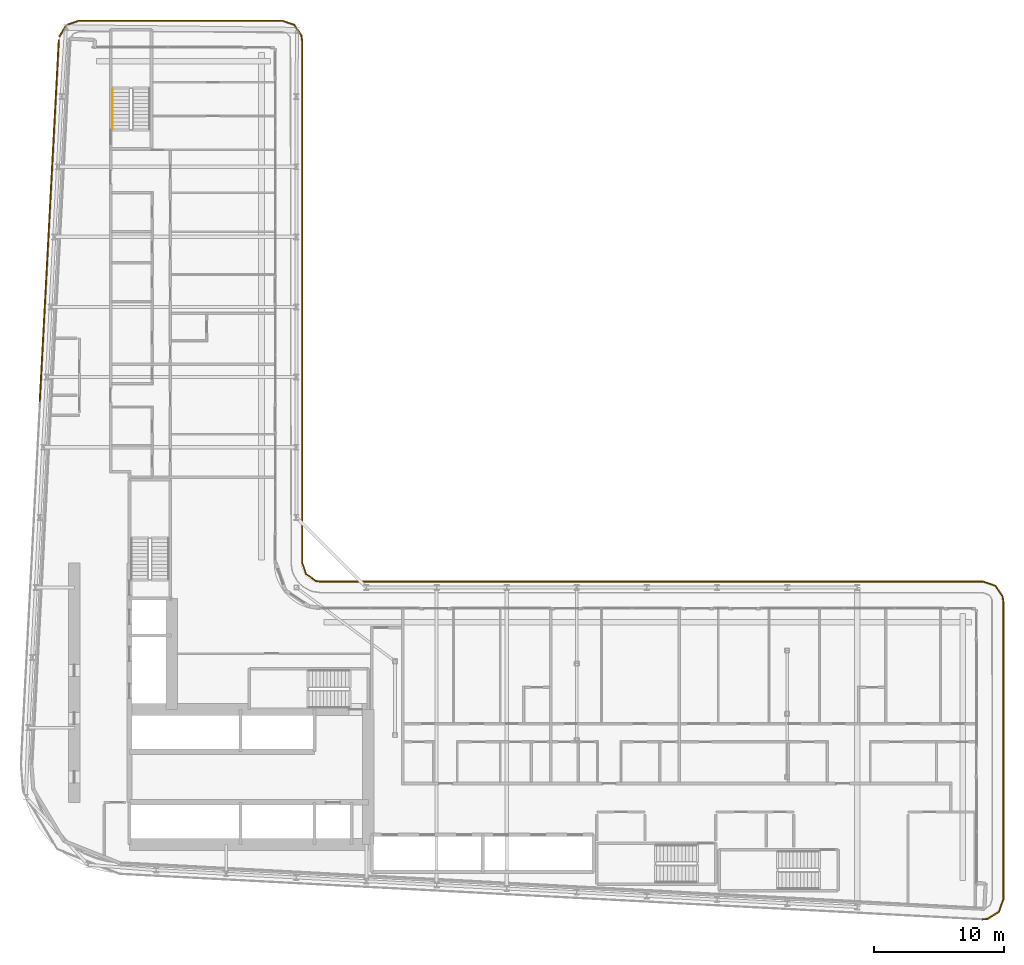
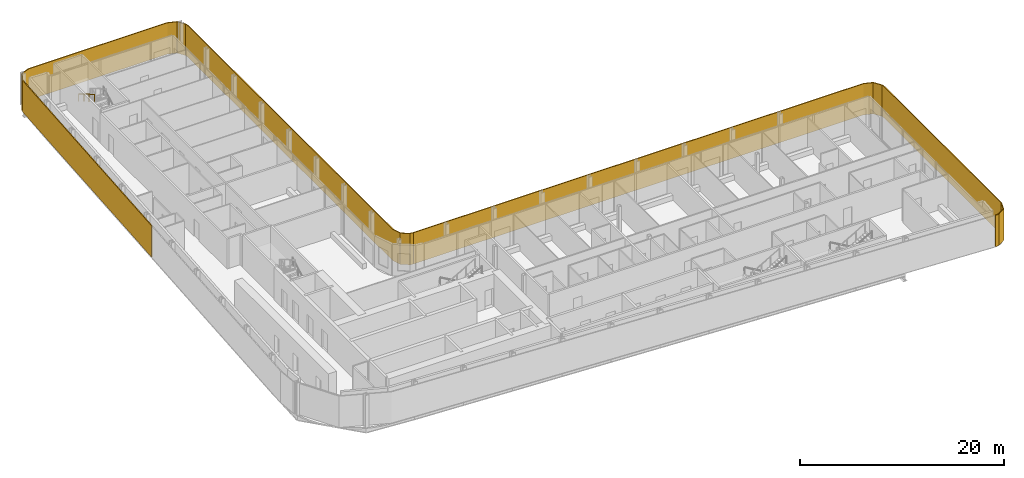
# One storey, part 25 of 27: 3 shading devices, 1 railing.
"""IFC4 building model written with IfcOpenShell, lengths in metres."""

from ifc_helpers import new_model, si_unit, direction, frame, origin, origin_2d, place, context, subcontext, project, spatial, polyline, rectangle, circle, outline, extrude, material, layer, layer_set, type_object, element, save


model = new_model("IFC4")

# Units and contexts
model_context = context("Model", 3, precision=1e-05, world=origin(), true_north=direction((0.0, 1.0)))
body_context = subcontext(model_context, "Body", "Model", "MODEL_VIEW")
ifc_project = project(units=[si_unit("LENGTHUNIT", "METRE"), si_unit("AREAUNIT", "SQUARE_METRE"), si_unit("VOLUMEUNIT", "CUBIC_METRE"), si_unit("PLANEANGLEUNIT", "RADIAN"), si_unit("MASSUNIT", "GRAM", prefix="KILO")], contexts=[model_context])

# Site, building, storey
site_placement = place(None, origin())
site = spatial("IfcSite", under=ifc_project, at=site_placement, CompositionType="ELEMENT")
building_placement = place(site_placement, origin())
building = spatial("IfcBuilding", under=site, at=building_placement, Name="Kheshtan School and Residences Tower", CompositionType="ELEMENT")
storey_placement = place(building_placement, frame((0.0, 0.0, 98.0)))
storey = spatial("IfcBuildingStorey", under=building, at=storey_placement, Name="L22", CompositionType="ELEMENT", Elevation=98.0)

# Shading devices
ifc_material_1 = material(Name="Terracotta baguette, extruded ceramic", Category="masonry")
ifc_layer_1 = layer(ifc_material_1, 0.10009765625)
ifc_layer_set_1 = layer_set([ifc_layer_1], Name="Ledge screen, terracotta baguettes")
shading_device_type_1 = type_object("IfcShadingDeviceType", Name="Ledge screen, terracotta baguettes", PredefinedType="USERDEFINED", material=ifc_layer_set_1)
shading_device_1_placement = place(storey_placement, frame((28.572998046875, 73.833984375, 0.0), z_axis=(0.0, 0.0, 1.0), x_axis=(0.052562536748, 0.998617634398, 0.0)))
element("IfcShadingDevice", 1, at=shading_device_1_placement, inside=storey, type_object=shading_device_type_1, Name="Screen L22 5", ObjectType="BAGUETTE", PredefinedType="USERDEFINED", context=body_context, shape_type="SweptSolid", body=[
    extrude(rectangle(XDim=27.93408203125, YDim=0.10009765625, at=origin_2d()), origin(), (0.0, 0.0, 1.0), 3.75),
])
ifc_material_2 = material(Name="Terracotta lattice, extruded ceramic", Category="masonry")
ifc_layer_2 = layer(ifc_material_2, 0.10009765625)
ifc_layer_set_2 = layer_set([ifc_layer_2], Name="Loggia screen, terracotta lattice")
shading_device_type_2 = type_object("IfcShadingDeviceType", Name="Loggia screen, terracotta lattice", PredefinedType="USERDEFINED", material=ifc_layer_set_2)
shading_device_2_placement = place(storey_placement, origin())
element("IfcShadingDevice", 2, at=shading_device_2_placement, inside=storey, type_object=shading_device_type_2, Name="Screen L22 1", ObjectType="SCREEN", PredefinedType="USERDEFINED", context=body_context, shape_type="SweptSolid", body=[
    extrude(outline(polyline([(29.382080078125, 87.98388671875), (29.89990234375, 88.85693359375), (30.85498046875, 89.199951171875), (46.5, 89.199951171875), (47.4130859375, 88.889892578125), (47.948974609375, 88.087890625), (48.0, 87.699951171875), (48.0, 47.5), (48.31005859375, 46.5869140625), (49.112060546875, 46.051025390625), (49.5, 46.0), (49.512939453125, 46.09912109375), (49.14794921875, 46.14697265625), (48.39404296875, 46.65087890625), (48.10009765625, 47.51708984375), (48.10009765625, 87.70703125), (48.044921875, 88.1240234375), (47.47705078125, 88.97412109375), (46.51708984375, 89.300048828125), (30.837890625, 89.300048828125), (29.83203125, 88.93896484375), (29.2958984375, 88.034912109375), (29.382080078125, 87.98388671875)])), origin(), (0.0, 0.0, 1.0), 3.75),
])
shading_device_3_placement = place(storey_placement, origin())
element("IfcShadingDevice", 3, at=shading_device_3_placement, inside=storey, type_object=shading_device_type_2, Name="Screen L22 2", ObjectType="SCREEN", PredefinedType="USERDEFINED", context=body_context, shape_type="SweptSolid", body=[
    extrude(outline(polyline([(49.5, 46.0), (100.5, 46.0), (101.4130859375, 45.68994140625), (101.948974609375, 44.887939453125), (102.0, 44.5), (102.0, 21.5810546875), (101.669921875, 20.64208984375), (100.823974609375, 20.116943359375), (100.4208984375, 20.0830078125), (100.428955078125, 19.98291015625), (100.85595703125, 20.01904296875), (101.7529296875, 20.575927734375), (102.10009765625, 21.56396484375), (102.10009765625, 44.507080078125), (102.044921875, 44.924072265625), (101.47705078125, 45.77392578125), (100.51708984375, 46.10009765625), (49.5, 46.10009765625), (49.5, 46.0)])), origin(), (0.0, 0.0, 1.0), 3.75),
])

# Railing
ifc_material_3 = material(Name="Stainless steel handrail", Category="steel")
railing_type = type_object("IfcRailingType", Name="Stair handrail 900", PredefinedType="HANDRAIL", material=ifc_material_3)
railing_placement = place(storey_placement, frame((33.449951171875, 83.97998046875, 2.112548828125)))
element("IfcRailing", 4, at=railing_placement, inside=storey, type_object=railing_type, Name="L22 ST3 stair handrail 2", PredefinedType="HANDRAIL", context=body_context, shape_type="SweptSolid", body=[
    extrude(circle(Radius=0.02392578125, at=origin_2d()), frame((0.0, 0.0, 0.8759765625), z_axis=(0.0, -0.864920483161, 0.501908913857), x_axis=(1.0, 0.0, 0.0)), (0.0, 0.0, 1.0), 3.56103515625),
    extrude(circle(Radius=0.02099609375, at=origin_2d()), origin(), (0.0, 0.0, 1.0), 0.851806640625),
    extrude(circle(Radius=0.02099609375, at=origin_2d()), frame((0.0, -1.026611328125, 0.595703125)), (0.0, 0.0, 1.0), 0.851806640625),
    extrude(circle(Radius=0.02099609375, at=origin_2d()), frame((0.0, -2.053466796875, 1.191650390625)), (0.0, 0.0, 1.0), 0.851806640625),
    extrude(circle(Radius=0.02099609375, at=origin_2d()), frame((0.0, -3.080078125, 1.787353515625)), (0.0, 0.0, 1.0), 0.851806640625),
])

save(model, "model.ifc")
